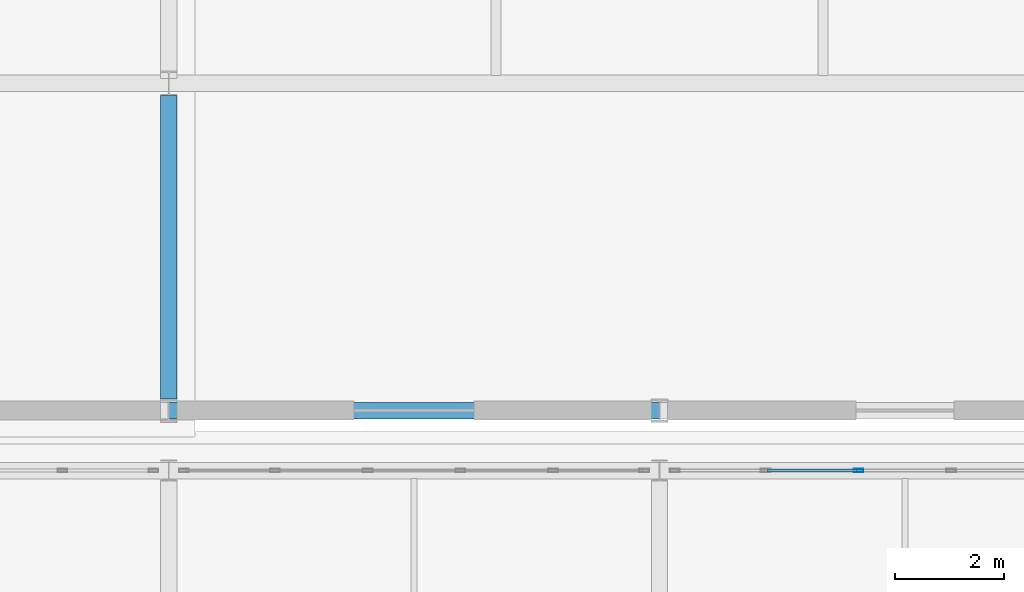
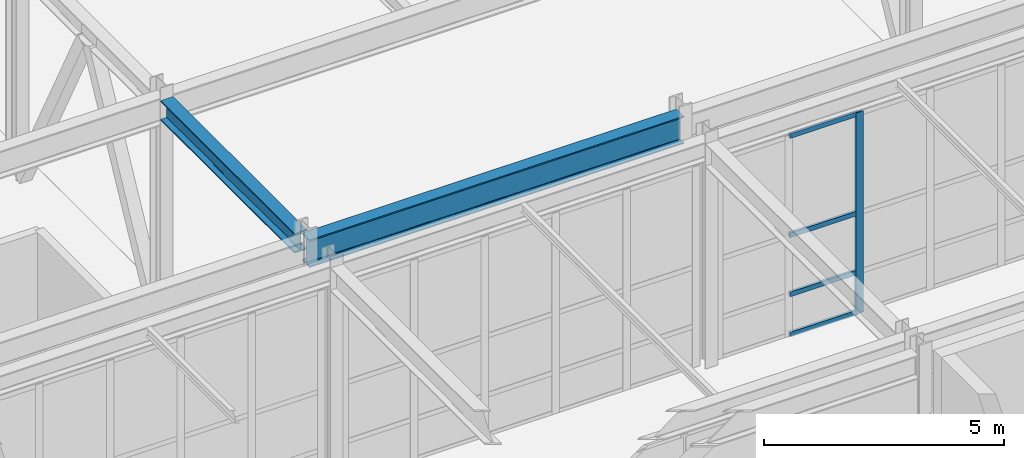
# One storey, part 50 of 146: 5 members, 2 beams, 1 element without a shape of its own.
"""IFC4 building model written with IfcOpenShell, lengths in metres."""

import ifcopenshell
import ifcopenshell.guid

model = None  # the IFC model being written
_history = None  # IfcOwnerHistory: only IFC2X3 demands one
_inside = {}  # id of a spatial element -> (the spatial element, [elements in it])
_under = {}  # id of a project, library or spatial element -> (it, [spatial elements below it])
_declared = {}  # id of a project -> (the project, [libraries it declares])
_typed = {}  # id of a type object -> (the type object, [elements of that type])
_made_of = {}  # id of a material, layer set ... -> (it, [elements and type objects made of it])


def new_model(schema):
    """Start an empty IFC model of exactly this schema.

    Asked for "IFC4X3", IfcOpenShell would pick the latest addendum, in which some entities
    have other attributes; the version numbers below select the first issue.
    IFC2X3 requires an IfcOwnerHistory on every rooted entity: one is made here for all.
    """
    global model, _history
    if schema == "IFC4X3":
        model = ifcopenshell.file(schema_version=(4, 3, 0, 0))
    else:
        model = ifcopenshell.file(schema=schema)
    _inside.clear()
    _under.clear()
    _declared.clear()
    _typed.clear()
    _made_of.clear()
    _history = None
    if model.schema == "IFC2X3":
        org = make("IfcOrganization", Name="unknown")
        user = make(
            "IfcPersonAndOrganization",
            ThePerson=make("IfcPerson", FamilyName="unknown"),
            TheOrganization=org,
        )
        app = make(
            "IfcApplication",
            ApplicationDeveloper=org,
            Version="unknown",
            ApplicationFullName="unknown",
            ApplicationIdentifier="unknown",
        )
        _history = make(
            "IfcOwnerHistory",
            OwningUser=user,
            OwningApplication=app,
            ChangeAction="ADDED",
            CreationDate=0,
        )
    return model


def make(cls, **values):
    """One entity of the class cls with the attributes given. An attribute that is None is left unset."""
    return model.create_entity(
        cls, **{name: value for name, value in values.items() if value is not None}
    )


def rooted(cls, **values):
    """An entity with a GlobalId (a new one), such as an element, a storey or a relation."""
    return make(cls, GlobalId=ifcopenshell.guid.new(), OwnerHistory=_history, **values)


def si_unit(unit_type, name, prefix=None):
    """IfcSIUnit, for example si_unit("LENGTHUNIT", "METRE", prefix="MILLI")."""
    return make("IfcSIUnit", UnitType=unit_type, Prefix=prefix, Name=name)


def assignment(units):
    """IfcUnitAssignment: the units of a project."""
    return None if units is None else make("IfcUnitAssignment", Units=units)


def point(xyz):
    """IfcCartesianPoint."""
    return None if xyz is None else make("IfcCartesianPoint", Coordinates=xyz)


def direction(xyz):
    """IfcDirection."""
    return None if xyz is None else make("IfcDirection", DirectionRatios=xyz)


def frame(location, z_axis=None, x_axis=None):
    """IfcAxis2Placement3D, a coordinate frame: its origin and axes. An axis left out is left unset."""
    return make(
        "IfcAxis2Placement3D",
        Location=point(location),
        Axis=direction(z_axis),
        RefDirection=direction(x_axis),
    )


def frame_2d(location, x_axis=None):
    """IfcAxis2Placement2D, a coordinate frame in the plane: its origin and x axis."""
    return make(
        "IfcAxis2Placement2D", Location=point(location), RefDirection=direction(x_axis)
    )


def origin():
    """The frame at (0, 0, 0) with its axes left unset."""
    return frame((0.0, 0.0, 0.0))


def origin_2d():
    """The frame at (0, 0) in the plane with its x axis left unset."""
    return frame_2d((0.0, 0.0))


def place(relative_to, where):
    """IfcLocalPlacement: puts the frame where relative to a parent placement (None: the world)."""
    return make(
        "IfcLocalPlacement", PlacementRelTo=relative_to, RelativePlacement=where
    )


def context(
    kind, dimensions, precision=None, world=None, true_north=None, identifier=None
):
    """IfcGeometricRepresentationContext, for example the 3D "Model" context."""
    return make(
        "IfcGeometricRepresentationContext",
        ContextIdentifier=identifier,
        ContextType=kind,
        CoordinateSpaceDimension=dimensions,
        Precision=precision,
        WorldCoordinateSystem=world,
        TrueNorth=true_north,
    )


def subcontext(parent, identifier, kind, view, scale=None):
    """IfcGeometricRepresentationSubContext, for example "Body" below "Model"."""
    return make(
        "IfcGeometricRepresentationSubContext",
        ContextIdentifier=identifier,
        ContextType=kind,
        ParentContext=parent,
        TargetScale=scale,
        TargetView=view,
    )


def project(units=None, contexts=None):
    """IfcProject with its units and contexts."""
    return rooted(
        "IfcProject",
        Name="project",
        RepresentationContexts=contexts,
        UnitsInContext=assignment(units),
    )


def spatial(cls, under=None, at=None, **own):
    """A site, building, storey or space (cls), placed at a placement, below another one or the project."""
    s = rooted(cls, ObjectPlacement=at, **own)
    if under is not None:
        _under.setdefault(under.id(), (under, []))[1].append(s)
    return s


def profile(cls, at=None, kind="AREA", **sizes):
    """A parametric profile (cls). Its sizes go by their IFC names, for example OverallWidth=200.0."""
    return make(cls, ProfileType=kind, Position=at, **sizes)


def hollow_rectangle(**sizes):
    """IfcRectangleHollowProfileDef."""
    return profile("IfcRectangleHollowProfileDef", **sizes)


def i_section(**sizes):
    """IfcIShapeProfileDef."""
    return profile("IfcIShapeProfileDef", **sizes)


def extrude(swept, where, along, depth):
    """IfcExtrudedAreaSolid: the profile swept, set in the frame where, extruded along a direction by depth."""
    return make(
        "IfcExtrudedAreaSolid",
        SweptArea=swept,
        Position=where,
        ExtrudedDirection=direction(along),
        Depth=depth,
    )


def shape(context_of_items, identifier, shape_type, items):
    """IfcShapeRepresentation: the items that make up one representation, for example the "Body"."""
    return make(
        "IfcShapeRepresentation",
        ContextOfItems=context_of_items,
        RepresentationIdentifier=identifier,
        RepresentationType=shape_type,
        Items=items,
    )


def material(Name=None, Category=None):
    """IfcMaterial."""
    return make("IfcMaterial", Name=Name, Category=Category)


def material_profile(
    of_material, cross_section, Name=None, Category=None, Priority=None
):
    """IfcMaterialProfile: a cross section and its material."""
    return make(
        "IfcMaterialProfile",
        Name=Name,
        Material=of_material,
        Profile=cross_section,
        Priority=Priority,
        Category=Category,
    )


def profile_set(profiles, Name=None, composite=None):
    """IfcMaterialProfileSet."""
    return make(
        "IfcMaterialProfileSet",
        Name=Name,
        MaterialProfiles=profiles,
        CompositeProfile=composite,
    )


def made_of(thing, what):
    """Note that an element or type object is made of a material, layer set ...; save() writes the relation."""
    if what is not None:
        _made_of.setdefault(what.id(), (what, []))[1].append(thing)
    return thing


def type_object(cls, material=None, **own):
    """A type object (cls), such as IfcWallType, which elements share."""
    return made_of(rooted(cls, **own), material)


def element(
    cls,
    number,
    at=None,
    inside=None,
    cuts=None,
    type_object=None,
    material=None,
    context=None,
    identifier="Body",
    shape_type=None,
    held_by="IfcProductDefinitionShape",
    body=None,
    shapes=None,
    **own,
):
    """One element of the class cls, such as IfcWall. Its Tag is "e" and its number.

    at: its placement. inside: the storey or other place that contains it. cuts: it is an
    opening in that element (IfcRelVoidsElement). A single representation is given by context,
    identifier, shape_type and body (its items); several are given by shapes. held_by: the class
    of the entity that holds the representations. save() writes the other relations.
    """
    e = rooted(cls, Tag="e%d" % number, ObjectPlacement=at, **own)
    if body is not None:
        shapes = [shape(context, identifier, shape_type, body)]
    if shapes is not None:
        e.Representation = make(held_by, Representations=shapes)
    if inside is not None:
        _inside.setdefault(inside.id(), (inside, []))[1].append(e)
    if cuts is not None:
        rooted(
            "IfcRelVoidsElement", RelatingBuildingElement=cuts, RelatedOpeningElement=e
        )
    if type_object is not None:
        _typed.setdefault(type_object.id(), (type_object, []))[1].append(e)
    return made_of(e, material)


def aggregate(whole, parts):
    """IfcRelAggregates: a whole, such as a stair, and the parts it consists of."""
    return rooted("IfcRelAggregates", RelatingObject=whole, RelatedObjects=parts)


def save(model, path):
    """Write the relations noted so far, then the file.

    IfcRelAggregates (storeys below a building ...), IfcRelContainedInSpatialStructure (elements
    in a storey), IfcRelDefinesByType, IfcRelAssociatesMaterial and IfcRelDeclares: one each for
    every whole, place, type object, material and project.
    """
    for whole, parts in _under.values():
        aggregate(whole, parts)
    for where, things in _inside.values():
        rooted(
            "IfcRelContainedInSpatialStructure",
            RelatedElements=things,
            RelatingStructure=where,
        )
    for kind, things in _typed.values():
        rooted("IfcRelDefinesByType", RelatedObjects=things, RelatingType=kind)
    for what, things in _made_of.values():
        rooted("IfcRelAssociatesMaterial", RelatedObjects=things, RelatingMaterial=what)
    for by, libraries in _declared.values():
        rooted("IfcRelDeclares", RelatingContext=by, RelatedDefinitions=libraries)
    model.write(path)


model = new_model("IFC4")

# Units and contexts
model_context = context("Model", 3, precision=1e-05, world=origin(), true_north=direction((0.0, 1.0)))
body_context = subcontext(model_context, "Body", "Model", "MODEL_VIEW")
ifc_project = project(units=[si_unit("LENGTHUNIT", "METRE"), si_unit("AREAUNIT", "SQUARE_METRE"), si_unit("VOLUMEUNIT", "CUBIC_METRE"), si_unit("PLANEANGLEUNIT", "RADIAN"), si_unit("MASSUNIT", "GRAM", prefix="KILO")], contexts=[model_context])

# Site, building, storey
site_placement = place(None, origin())
site = spatial("IfcSite", under=ifc_project, at=site_placement, CompositionType="ELEMENT")
building_placement = place(site_placement, origin())
building = spatial("IfcBuilding", under=site, at=building_placement, Name="Kaldris Quays Convention Centre", CompositionType="ELEMENT")
storey_placement = place(building_placement, origin())
storey = spatial("IfcBuildingStorey", under=building, at=storey_placement, Name="L00", CompositionType="ELEMENT", Elevation=0.0)

# Curtain wall, members
ifc_material_1 = material(Name="Anodized aluminium AW-6060 and triple glazing", Category="aluminium")
curtain_wall_type = type_object("IfcCurtainWallType", Name="UNITISED CURTAIN WALL CW02", PredefinedType="NOTDEFINED", material=ifc_material_1)
curtain_wall_placement = place(storey_placement, origin())
curtain_wall = element("IfcCurtainWall", 1, at=curtain_wall_placement, inside=storey, type_object=curtain_wall_type, Name="L00 Unitised Curtain Wall CW02 83", PredefinedType="NOTDEFINED")
ifc_material_2 = material(Name="Anodized aluminium AW-6060", Category="aluminium")
ifc_material_profile_1 = material_profile(ifc_material_2, hollow_rectangle(XDim=0.06005859375, YDim=0.179931640625, WallThickness=0.0048828125, at=origin_2d()), Name="RHS 180x60x5")
ifc_profile_set_1 = profile_set([ifc_material_profile_1], Name="Anodized aluminium AW-6060")
member_type_1 = type_object("IfcMemberType", Name="CURTAIN MULLION CWM2", PredefinedType="MULLION", material=ifc_profile_set_1)
member_1_placement = place(storey_placement, frame((50.64990234375, 54.89990234375, 0.0), z_axis=(0.0, 0.0, 1.0), x_axis=(0.0, 1.0, 0.0)))
member_1 = element("IfcMember", 2, at=member_1_placement, type_object=member_type_1, Name="CW02 mullion 3", PredefinedType="MULLION", context=body_context, shape_type="SweptSolid", body=[
    extrude(hollow_rectangle(XDim=0.06005859375, YDim=0.179931640625, WallThickness=0.0048828125, at=origin_2d()), origin(), (0.0, 0.0, 1.0), 5.10009765625),
])
ifc_material_profile_2 = material_profile(ifc_material_2, hollow_rectangle(XDim=0.06005859375, YDim=0.1201171875, WallThickness=0.00390625, at=origin_2d()), Name="RHS 120x60x4")
ifc_profile_set_2 = profile_set([ifc_material_profile_2], Name="Anodized aluminium AW-6060")
member_type_2 = type_object("IfcMemberType", Name="CURTAIN TRANSOM CWT1", PredefinedType="USERDEFINED", material=ifc_profile_set_2)
member_2_placement = place(storey_placement, frame((48.97998046875, 54.89990234375, 0.030029296875), z_axis=(1.0, 0.0, 0.0), x_axis=(0.0, 1.0, 0.0)))
member_2 = element("IfcMember", 3, at=member_2_placement, type_object=member_type_2, Name="CW02 transom 2.1", ObjectType="TRANSOM", PredefinedType="USERDEFINED", context=body_context, shape_type="SweptSolid", body=[
    extrude(hollow_rectangle(XDim=0.06005859375, YDim=0.1201171875, WallThickness=0.00390625, at=origin_2d()), origin(), (0.0, 0.0, 1.0), 1.64013671875),
])
member_3_placement = place(storey_placement, frame((48.97998046875, 54.89990234375, 1.050048828125), z_axis=(1.0, 0.0, 0.0), x_axis=(0.0, 1.0, 0.0)))
member_3 = element("IfcMember", 4, at=member_3_placement, type_object=member_type_2, Name="CW02 transom 2.2", ObjectType="TRANSOM", PredefinedType="USERDEFINED", context=body_context, shape_type="SweptSolid", body=[
    extrude(hollow_rectangle(XDim=0.06005859375, YDim=0.1201171875, WallThickness=0.00390625, at=origin_2d()), origin(), (0.0, 0.0, 1.0), 1.64013671875),
])
member_4_placement = place(storey_placement, frame((48.97998046875, 54.89990234375, 2.550048828125), z_axis=(1.0, 0.0, 0.0), x_axis=(0.0, 1.0, 0.0)))
member_4 = element("IfcMember", 5, at=member_4_placement, type_object=member_type_2, Name="CW02 transom 2.3", ObjectType="TRANSOM", PredefinedType="USERDEFINED", context=body_context, shape_type="SweptSolid", body=[
    extrude(hollow_rectangle(XDim=0.06005859375, YDim=0.1201171875, WallThickness=0.00390625, at=origin_2d()), origin(), (0.0, 0.0, 1.0), 1.64013671875),
])
member_5_placement = place(storey_placement, frame((48.97998046875, 54.89990234375, 5.070068359375), z_axis=(1.0, 0.0, 0.0), x_axis=(0.0, 1.0, 0.0)))
member_5 = element("IfcMember", 6, at=member_5_placement, type_object=member_type_2, Name="CW02 transom 2.4", ObjectType="TRANSOM", PredefinedType="USERDEFINED", context=body_context, shape_type="SweptSolid", body=[
    extrude(hollow_rectangle(XDim=0.06005859375, YDim=0.1201171875, WallThickness=0.00390625, at=origin_2d()), origin(), (0.0, 0.0, 1.0), 1.64013671875),
])
aggregate(curtain_wall, [member_1, member_2, member_3, member_4, member_5])

# Beams
ifc_material_3 = material(Name="Steel S355J2", Category="steel")
ifc_material_profile_3 = material_profile(ifc_material_3, i_section(OverallWidth=0.300048828125, OverallDepth=0.699951171875, WebThickness=0.01708984375, FlangeThickness=0.031982421875, FilletRadius=0.027099609375, at=origin_2d()), Name="HEB 700")
ifc_profile_set_3 = profile_set([ifc_material_profile_3], Name="Steel S355J2")
beam_type_1 = type_object("IfcBeamType", Name="STRUCTURAL BEAM BM04", PredefinedType="BEAM", material=ifc_profile_set_3)
beam_1_placement = place(storey_placement, frame((38.00439453125, 56.0, 5.3330078125), z_axis=(1.0, 0.0, 0.0), x_axis=(0.0, 1.0, 0.0)))
element("IfcBeam", 7, at=beam_1_placement, inside=storey, type_object=beam_type_1, Name="L00 Girder BM04 3", PredefinedType="BEAM", context=body_context, shape_type="SweptSolid", body=[
    extrude(i_section(OverallWidth=0.300048828125, OverallDepth=0.699951171875, WebThickness=0.01708984375, FlangeThickness=0.031982421875, FilletRadius=0.027099609375, at=origin_2d()), origin(), (0.0, 0.0, 1.0), 8.9912109375),
])
ifc_material_profile_4 = material_profile(ifc_material_3, i_section(OverallWidth=0.300048828125, OverallDepth=0.5, WebThickness=0.014404296875, FlangeThickness=0.028076171875, FilletRadius=0.027099609375, at=origin_2d()), Name="HEB 500")
ifc_profile_set_4 = profile_set([ifc_material_profile_4], Name="Steel S355J2")
beam_type_2 = type_object("IfcBeamType", Name="STRUCTURAL BEAM BM06", PredefinedType="BEAM", material=ifc_profile_set_4)
beam_2_placement = place(storey_placement, frame((38.0, 56.2099609375, 5.43310546875), z_axis=(0.0, 1.0, 0.0), x_axis=(-1.0, 0.0, 0.0)))
element("IfcBeam", 8, at=beam_2_placement, inside=storey, type_object=beam_type_2, Name="L00 Girder BM06 53", PredefinedType="BEAM", context=body_context, shape_type="SweptSolid", body=[
    extrude(i_section(OverallWidth=0.300048828125, OverallDepth=0.5, WebThickness=0.014404296875, FlangeThickness=0.028076171875, FilletRadius=0.027099609375, at=origin_2d()), origin(), (0.0, 0.0, 1.0), 5.571044921875),
])

save(model, "model.ifc")
